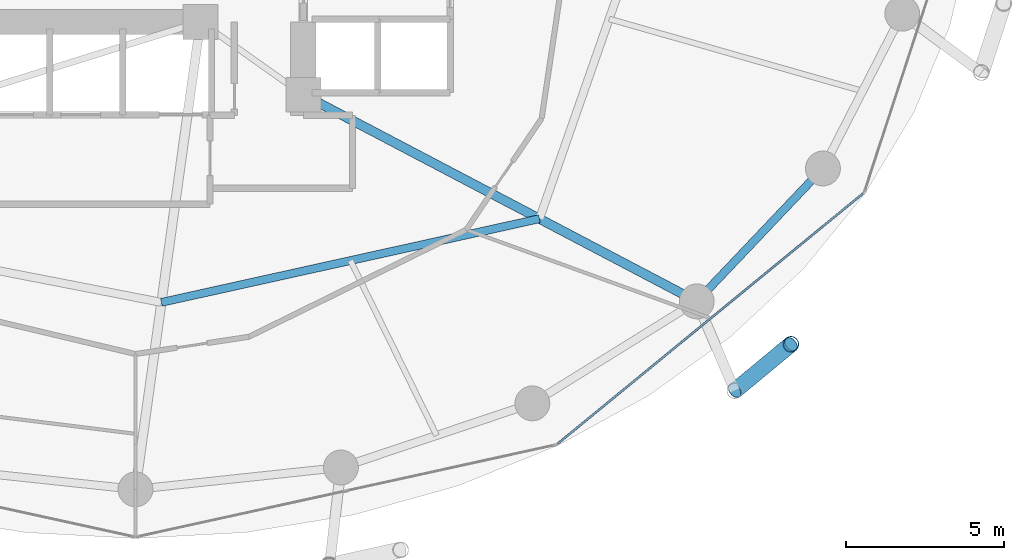
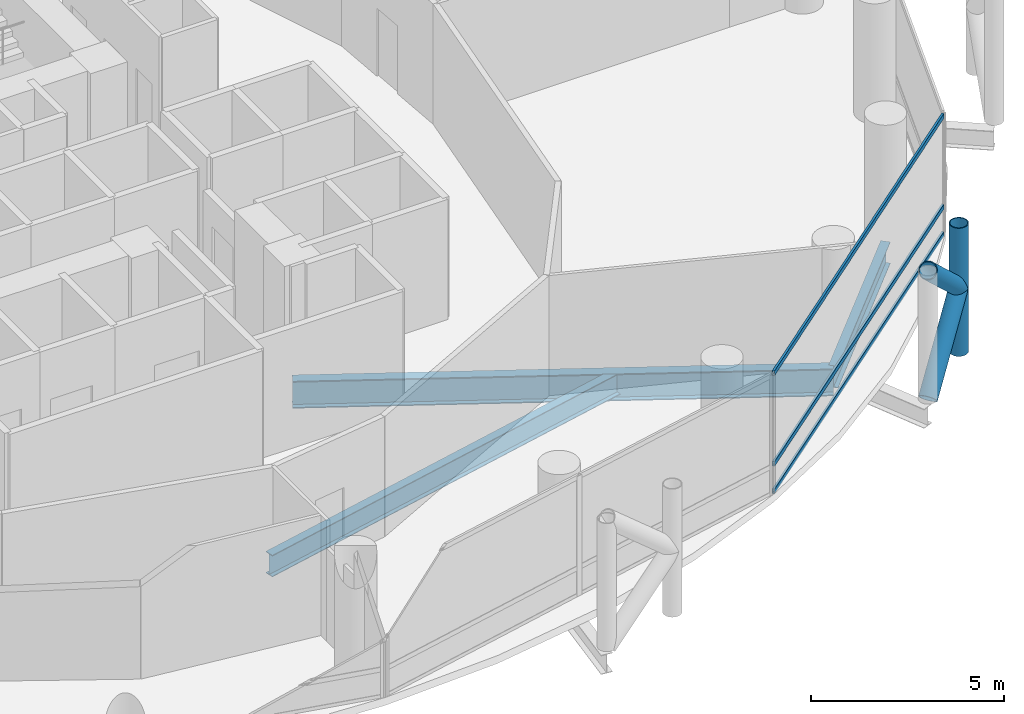
# One storey, part 9 of 25: 6 members, 3 beams, 1 element without a shape of its own.
"""IFC4 building model written with IfcOpenShell, lengths in metres."""

from ifc_helpers import new_model, si_unit, direction, frame, origin, origin_2d, place, context, subcontext, project, spatial, hollow_rectangle, hollow_circle, i_section, extrude, material, layer, layer_set, material_profile, profile_set, type_object, element, aggregate, save


model = new_model("IFC4")

# Units and contexts
model_context = context("Model", 3, precision=1e-05, world=origin(), true_north=direction((0.0, 1.0)))
body_context = subcontext(model_context, "Body", "Model", "MODEL_VIEW")
ifc_project = project(units=[si_unit("LENGTHUNIT", "METRE"), si_unit("AREAUNIT", "SQUARE_METRE"), si_unit("VOLUMEUNIT", "CUBIC_METRE"), si_unit("PLANEANGLEUNIT", "RADIAN"), si_unit("MASSUNIT", "GRAM", prefix="KILO")], contexts=[model_context])

# Site, building, storey
site_placement = place(None, origin())
site = spatial("IfcSite", under=ifc_project, at=site_placement, CompositionType="ELEMENT")
building_placement = place(site_placement, origin())
building = spatial("IfcBuilding", under=site, at=building_placement, Name="Nuhasar Tower", CompositionType="ELEMENT")
storey_placement = place(building_placement, frame((0.0, 0.0, 57.449951171875)))
storey = spatial("IfcBuildingStorey", under=building, at=storey_placement, Name="L13", CompositionType="ELEMENT", Elevation=57.449951171875)

# Beams
ifc_material_1 = material(Name="Steel S355", Category="steel")
ifc_material_profile_1 = material_profile(ifc_material_1, i_section(OverallWidth=0.25390625, OverallDepth=0.68408203125, WebThickness=0.012451171875, FlangeThickness=0.018798828125, at=origin_2d()), Name="W27X94")
ifc_profile_set_1 = profile_set([ifc_material_profile_1], Name="Steel S355")
beam_type_1 = type_object("IfcBeamType", Name="BM-INRING-W27X94", PredefinedType="BEAM", material=ifc_profile_set_1)
beam_1_placement = place(storey_placement, frame((39.820068359375, 12.449951171875, -0.592041015625), z_axis=(0.976386023343, 0.216033176665, 0.0), x_axis=(-0.216033176665, 0.976386023343, 0.0)))
element("IfcBeam", 1, at=beam_1_placement, inside=storey, type_object=beam_type_1, Name="L13 Inner Header Beam 02", PredefinedType="BEAM", context=body_context, shape_type="SweptSolid", body=[
    extrude(i_section(OverallWidth=0.25390625, OverallDepth=0.68408203125, WebThickness=0.012451171875, FlangeThickness=0.018798828125, at=origin_2d()), origin(), (0.0, 0.0, 1.0), 12.216552734375),
])
ifc_material_profile_2 = material_profile(ifc_material_1, i_section(OverallWidth=0.2919921875, OverallDepth=0.85888671875, WebThickness=0.01708984375, FlangeThickness=0.031005859375, at=origin_2d()), Name="W33X169")
ifc_profile_set_2 = profile_set([ifc_material_profile_2], Name="Steel S355")
beam_type_2 = type_object("IfcBeamType", Name="BM-POD-W33X169", PredefinedType="BEAM", material=ifc_profile_set_2)
beam_2_placement = place(storey_placement, frame((44.300048828125, 19.0, -0.678955078125), z_axis=(0.885330348705, -0.464962550816, 0.0), x_axis=(0.464962550816, 0.885330348705, 0.0)))
element("IfcBeam", 2, at=beam_2_placement, inside=storey, type_object=beam_type_2, Name="L13 Radial Floor Girder 03", PredefinedType="BEAM", context=body_context, shape_type="SweptSolid", body=[
    extrude(i_section(OverallWidth=0.2919921875, OverallDepth=0.85888671875, WebThickness=0.01708984375, FlangeThickness=0.031005859375, at=origin_2d()), origin(), (0.0, 0.0, 1.0), 14.0205078125),
])
ifc_material_profile_3 = material_profile(ifc_material_1, i_section(OverallWidth=0.256103515625, OverallDepth=0.693115234375, WebThickness=0.014404296875, FlangeThickness=0.023681640625, at=origin_2d()), Name="W27X114")
ifc_profile_set_3 = profile_set([ifc_material_profile_3], Name="Steel S355")
beam_type_3 = type_object("IfcBeamType", Name="BM-RING-W27X114", PredefinedType="SPANDREL", material=ifc_profile_set_3)
beam_3_placement = place(storey_placement, frame((56.712890625, 12.48095703125, -0.595947265625), z_axis=(0.688459812429, 0.725274490569, 0.0), x_axis=(-0.725274490569, 0.688459812429, 0.0)))
element("IfcBeam", 3, at=beam_3_placement, inside=storey, type_object=beam_type_3, Name="L13 Perimeter Ring Spandrel 22", PredefinedType="SPANDREL", context=body_context, shape_type="SweptSolid", body=[
    extrude(i_section(OverallWidth=0.256103515625, OverallDepth=0.693115234375, WebThickness=0.014404296875, FlangeThickness=0.023681640625, at=origin_2d()), origin(), (0.0, 0.0, 1.0), 5.78271484375),
])

# Curtain wall, members
ifc_material_2 = material(Name="Aluminium 6063-T6", Category="aluminium")
ifc_layer = layer(ifc_material_2, 0.199951171875)
ifc_layer_set = layer_set([ifc_layer], Name="Aluminium 6063-T6")
curtain_wall_type = type_object("IfcCurtainWallType", Name="CW-Z1-OFF", PredefinedType="NOTDEFINED", material=ifc_layer_set)
curtain_wall_placement = place(storey_placement, origin())
curtain_wall = element("IfcCurtainWall", 4, at=curtain_wall_placement, inside=storey, type_object=curtain_wall_type, Name="L13 Unitised Curtain Wall 11", PredefinedType="NOTDEFINED")
ifc_material_profile_4 = material_profile(ifc_material_2, hollow_rectangle(XDim=0.06494140625, YDim=0.14990234375, WallThickness=0.00439453125, at=origin_2d()), Name="CWT-2")
ifc_profile_set_4 = profile_set([ifc_material_profile_4], Name="Aluminium 6063-T6")
member_type_1 = type_object("IfcMemberType", Name="CW-TRN-S2", PredefinedType="USERDEFINED", material=ifc_profile_set_4)
member_1_placement = place(storey_placement, frame((52.330322265625, 7.99609375, 0.032470703125), z_axis=(0.773531229158, 0.633758185365, 0.0), x_axis=(-0.633758185365, 0.773531229158, 0.0)))
member_1 = element("IfcMember", 5, at=member_1_placement, type_object=member_type_1, Name="CW-Z1 transom 1.1", ObjectType="TRANSOM", PredefinedType="USERDEFINED", context=body_context, shape_type="SweptSolid", body=[
    extrude(hollow_rectangle(XDim=0.06494140625, YDim=0.14990234375, WallThickness=0.00439453125, at=origin_2d()), origin(), (0.0, 0.0, 1.0), 12.438232421875),
])
member_2_placement = place(storey_placement, frame((52.330322265625, 7.99609375, 0.900146484375), z_axis=(0.773531229158, 0.633758185365, 0.0), x_axis=(-0.633758185365, 0.773531229158, 0.0)))
member_2 = element("IfcMember", 6, at=member_2_placement, type_object=member_type_1, Name="CW-Z1 transom 1.2", ObjectType="TRANSOM", PredefinedType="USERDEFINED", context=body_context, shape_type="SweptSolid", body=[
    extrude(hollow_rectangle(XDim=0.06494140625, YDim=0.14990234375, WallThickness=0.00439453125, at=origin_2d()), origin(), (0.0, 0.0, 1.0), 12.438232421875),
])
member_3_placement = place(storey_placement, frame((52.330322265625, 7.99609375, 3.767578125), z_axis=(0.773531229158, 0.633758185365, 0.0), x_axis=(-0.633758185365, 0.773531229158, 0.0)))
member_3 = element("IfcMember", 7, at=member_3_placement, type_object=member_type_1, Name="CW-Z1 transom 1.3", ObjectType="TRANSOM", PredefinedType="USERDEFINED", context=body_context, shape_type="SweptSolid", body=[
    extrude(hollow_rectangle(XDim=0.06494140625, YDim=0.14990234375, WallThickness=0.00439453125, at=origin_2d()), origin(), (0.0, 0.0, 1.0), 12.438232421875),
])
aggregate(curtain_wall, [member_1, member_2, member_3])

# Members
ifc_material_3 = material(Name="Steel S460", Category="steel")
ifc_material_profile_5 = material_profile(ifc_material_3, hollow_circle(Radius=0.25390625, WallThickness=0.025390625, at=origin_2d()), Name="HSS508X25.4")
ifc_profile_set_5 = profile_set([ifc_material_profile_5], Name="Steel S460")
member_type_2 = type_object("IfcMemberType", Name="EXO-BRONZE-508", PredefinedType="BRACE", material=ifc_profile_set_5)
member_4_placement = place(storey_placement, frame((59.68505859375, 11.12890625, 0.0), z_axis=(0.0, 0.0, 1.0), x_axis=(1.0, 0.0, 0.0)))
element("IfcMember", 8, at=member_4_placement, inside=storey, type_object=member_type_2, Name="L13 Exoskeleton Chord Column EC-11B", PredefinedType="BRACE", context=body_context, shape_type="SweptSolid", body=[
    extrude(hollow_circle(Radius=0.25390625, WallThickness=0.025390625, at=origin_2d()), origin(), (0.0, 0.0, 1.0), 4.050048828125),
])
member_5_placement = place(storey_placement, frame((57.9130859375, 9.660888671875, 0.0), z_axis=(0.578071194894, 0.478911834514, 0.660664172175), x_axis=(-0.637969333506, 0.770061769929, 0.0)))
element("IfcMember", 9, at=member_5_placement, inside=storey, type_object=member_type_2, Name="L13 Bronze Diagrid Brace W1-11", PredefinedType="BRACE", context=body_context, shape_type="SweptSolid", body=[
    extrude(hollow_circle(Radius=0.25390625, WallThickness=0.025390625, at=origin_2d()), origin(), (0.0, 0.0, 1.0), 3.0654296875),
])
member_6_placement = place(storey_placement, frame((59.68505859375, 11.12890625, 2.025146484375), z_axis=(-0.578101613167, -0.478937034992, 0.660619286251), x_axis=(0.637969333506, -0.770061769929, 0.0)))
element("IfcMember", 10, at=member_6_placement, inside=storey, type_object=member_type_2, Name="L13 Bronze Diagrid Brace W2-11", PredefinedType="BRACE", context=body_context, shape_type="SweptSolid", body=[
    extrude(hollow_circle(Radius=0.25390625, WallThickness=0.025390625, at=origin_2d()), origin(), (0.0, 0.0, 1.0), 3.065185546875),
])

save(model, "model.ifc")
